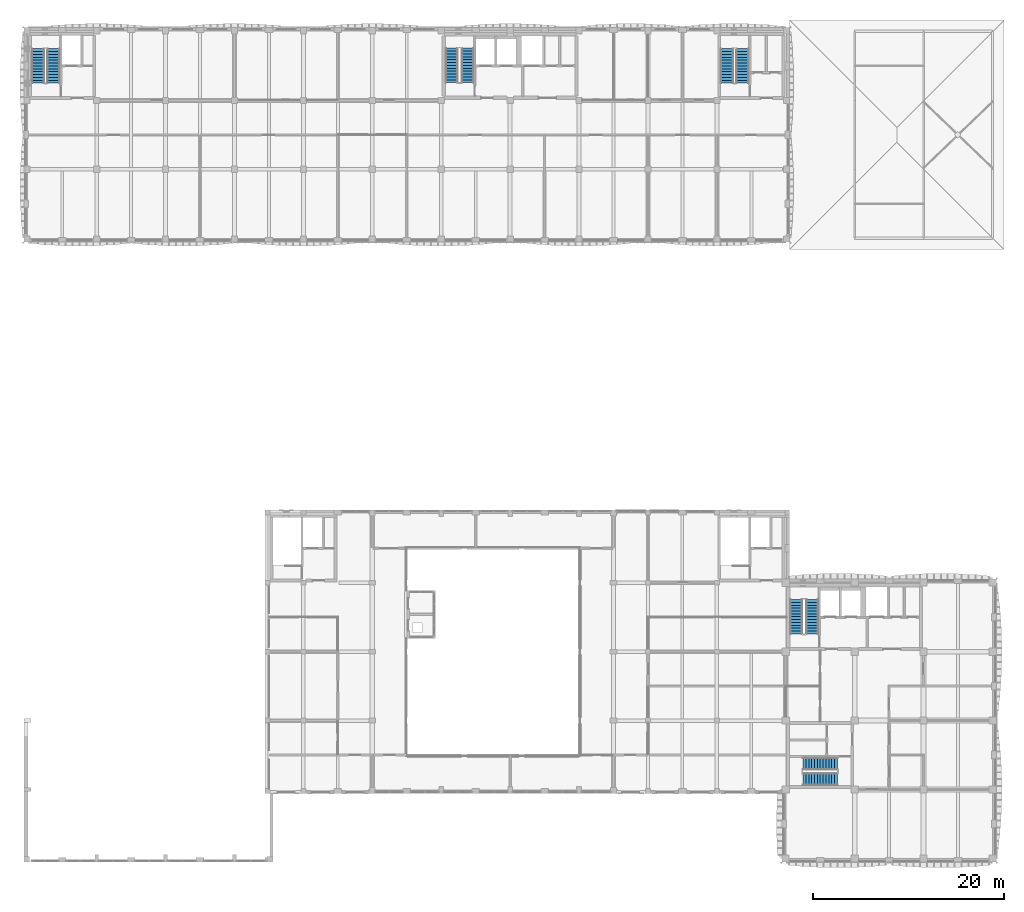
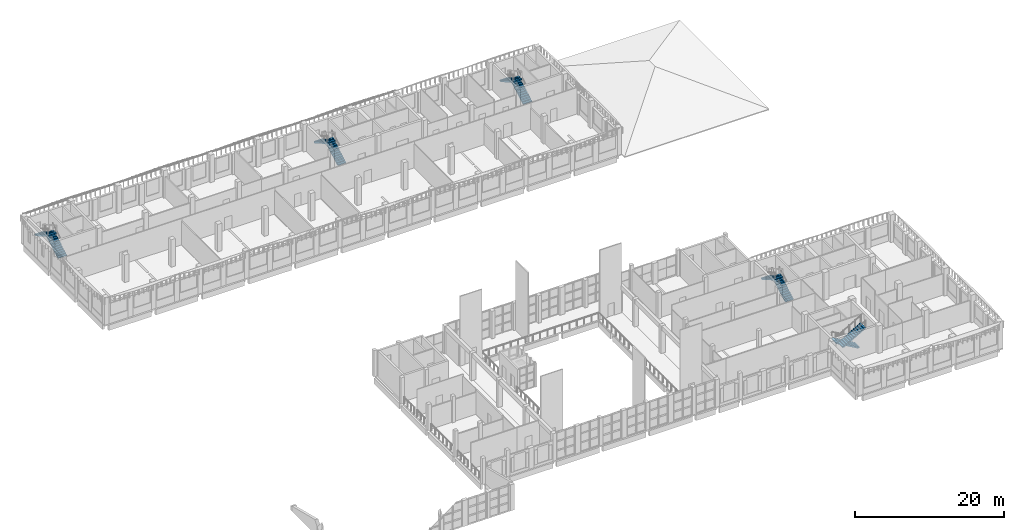
# One storey, part 29 of 54: 10 stair flights, 5 elements without a shape of their own.
"""IFC4 building model written with IfcOpenShell, lengths in metres."""

from ifc_helpers import new_model, si_unit, direction, frame, origin, place, context, subcontext, project, spatial, polyline, outline, extrude, material, type_object, element, aggregate, save


model = new_model("IFC4")

# Units and contexts
model_context = context("Model", 3, precision=1e-05, world=origin(), true_north=direction((0.0, 1.0)))
body_context = subcontext(model_context, "Body", "Model", "MODEL_VIEW")
ifc_project = project(units=[si_unit("LENGTHUNIT", "METRE"), si_unit("AREAUNIT", "SQUARE_METRE"), si_unit("VOLUMEUNIT", "CUBIC_METRE"), si_unit("PLANEANGLEUNIT", "RADIAN"), si_unit("MASSUNIT", "GRAM", prefix="KILO")], contexts=[model_context])

# Site, building, storey
site_placement = place(None, origin())
site = spatial("IfcSite", under=ifc_project, at=site_placement, CompositionType="ELEMENT")
building_placement = place(site_placement, origin())
building = spatial("IfcBuilding", under=site, at=building_placement, Name="Ussher Court Research Institute", CompositionType="ELEMENT")
storey_placement = place(building_placement, frame((0.0, 0.0, 14.39990234375)))
storey = spatial("IfcBuildingStorey", under=building, at=storey_placement, Name="L03", CompositionType="ELEMENT", Elevation=14.39990234375)

# Stair, stair flights
ifc_material_1 = material(Name="Concrete C35/45", Category="concrete")
stair_type_1 = type_object("IfcStairType", Name="Core stair 26 risers 173 mm x 300 going 1280 wide", PredefinedType="HALF_TURN_STAIR", material=ifc_material_1)
stair_1_placement = place(storey_placement, origin())
stair_1 = element("IfcStair", 1, at=stair_1_placement, inside=storey, type_object=stair_type_1, Name="L03 Stair D2", PredefinedType="HALF_TURN_STAIR")
ifc_material_2 = material(Name="Concrete C35/45", Category="concrete")
stair_flight_type_1 = type_object("IfcStairFlightType", Name="Stair flight 13 risers 1280 RC", PredefinedType="STRAIGHT", material=ifc_material_2)
stair_flight_1_placement = place(storey_placement, frame((48.9599609375, 85.050048828125, 0.0), z_axis=(0.0, 0.0, 1.0), x_axis=(0.0, 1.0, 0.0)))
stair_flight_1 = element("IfcStairFlight", 2, at=stair_flight_1_placement, type_object=stair_flight_type_1, Name="D2 flight 1", NumberOfRisers=13, NumberOfTreads=12, PredefinedType="STRAIGHT", RiserHeight=0.173076923, TreadLength=0.3, context=body_context, shape_type="SweptSolid", body=[
    extrude(outline(polyline([(0.0, 0.0), (0.0, 0.173095703125), (0.300048828125, 0.173095703125), (0.300048828125, 0.34619140625), (0.60009765625, 0.34619140625), (0.60009765625, 0.519287109375), (0.89990234375, 0.519287109375), (0.89990234375, 0.6923828125), (1.199951171875, 0.6923828125), (1.199951171875, 0.865478515625), (1.5, 0.865478515625), (1.5, 1.03857421875), (1.800048828125, 1.03857421875), (1.800048828125, 1.21142578125), (2.10009765625, 1.21142578125), (2.10009765625, 1.384521484375), (2.39990234375, 1.384521484375), (2.39990234375, 1.5576171875), (2.699951171875, 1.5576171875), (2.699951171875, 1.730712890625), (3.0, 1.730712890625), (3.0, 1.90380859375), (3.300048828125, 1.90380859375), (3.300048828125, 2.076904296875), (3.60009765625, 2.076904296875), (3.60009765625, 2.25), (3.60009765625, 1.90380859375), (0.300048828125, 0.0), (0.0, 0.0)])), frame((0.0, 0.64013671875, 0.0), z_axis=(0.0, -1.0, 0.0), x_axis=(1.0, 0.0, 0.0)), (0.0, 0.0, 1.0), 1.280029296875),
])
stair_flight_2_placement = place(storey_placement, frame((47.2900390625, 88.64990234375, 2.25), z_axis=(0.0, 0.0, 1.0), x_axis=(0.0, -1.0, 0.0)))
stair_flight_2 = element("IfcStairFlight", 3, at=stair_flight_2_placement, type_object=stair_flight_type_1, Name="D2 flight 2", NumberOfRisers=13, NumberOfTreads=12, PredefinedType="STRAIGHT", RiserHeight=0.173076923, TreadLength=0.3, context=body_context, shape_type="SweptSolid", body=[
    extrude(outline(polyline([(0.0, 0.0), (0.0, 0.173095703125), (0.300048828125, 0.173095703125), (0.300048828125, 0.34619140625), (0.60009765625, 0.34619140625), (0.60009765625, 0.519287109375), (0.89990234375, 0.519287109375), (0.89990234375, 0.6923828125), (1.199951171875, 0.6923828125), (1.199951171875, 0.865478515625), (1.5, 0.865478515625), (1.5, 1.03857421875), (1.800048828125, 1.03857421875), (1.800048828125, 1.21142578125), (2.10009765625, 1.21142578125), (2.10009765625, 1.384521484375), (2.39990234375, 1.384521484375), (2.39990234375, 1.5576171875), (2.699951171875, 1.5576171875), (2.699951171875, 1.730712890625), (3.0, 1.730712890625), (3.0, 1.90380859375), (3.300048828125, 1.90380859375), (3.300048828125, 2.076904296875), (3.60009765625, 2.076904296875), (3.60009765625, 2.25), (3.60009765625, 1.90380859375), (0.300048828125, 0.0), (0.0, 0.0)])), frame((0.0, 0.64013671875, 0.0), z_axis=(0.0, -1.0, 0.0), x_axis=(1.0, 0.0, 0.0)), (0.0, 0.0, 1.0), 1.280029296875),
])
aggregate(stair_1, [stair_flight_1, stair_flight_2])

stair_2_placement = place(storey_placement, origin())
stair_2 = element("IfcStair", 4, at=stair_2_placement, inside=storey, type_object=stair_type_1, Name="L03 Stair T1", PredefinedType="HALF_TURN_STAIR")
stair_flight_3_placement = place(storey_placement, frame((84.9599609375, 27.449951171875, 0.0), z_axis=(0.0, 0.0, 1.0), x_axis=(0.0, 1.0, 0.0)))
stair_flight_3 = element("IfcStairFlight", 5, at=stair_flight_3_placement, type_object=stair_flight_type_1, Name="T1 flight 1", NumberOfRisers=13, NumberOfTreads=12, PredefinedType="STRAIGHT", RiserHeight=0.173076923, TreadLength=0.3, context=body_context, shape_type="SweptSolid", body=[
    extrude(outline(polyline([(0.0, 0.0), (0.0, 0.173095703125), (0.300048828125, 0.173095703125), (0.300048828125, 0.34619140625), (0.60009765625, 0.34619140625), (0.60009765625, 0.519287109375), (0.89990234375, 0.519287109375), (0.89990234375, 0.6923828125), (1.199951171875, 0.6923828125), (1.199951171875, 0.865478515625), (1.5, 0.865478515625), (1.5, 1.03857421875), (1.800048828125, 1.03857421875), (1.800048828125, 1.21142578125), (2.10009765625, 1.21142578125), (2.10009765625, 1.384521484375), (2.39990234375, 1.384521484375), (2.39990234375, 1.5576171875), (2.699951171875, 1.5576171875), (2.699951171875, 1.730712890625), (3.0, 1.730712890625), (3.0, 1.90380859375), (3.300048828125, 1.90380859375), (3.300048828125, 2.076904296875), (3.60009765625, 2.076904296875), (3.60009765625, 2.25), (3.60009765625, 1.90380859375), (0.300048828125, 0.0), (0.0, 0.0)])), frame((0.0, 0.64013671875, 0.0), z_axis=(0.0, -1.0, 0.0), x_axis=(1.0, 0.0, 0.0)), (0.0, 0.0, 1.0), 1.280029296875),
])
stair_flight_4_placement = place(storey_placement, frame((83.2900390625, 31.050048828125, 2.25), z_axis=(0.0, 0.0, 1.0), x_axis=(0.0, -1.0, 0.0)))
stair_flight_4 = element("IfcStairFlight", 6, at=stair_flight_4_placement, type_object=stair_flight_type_1, Name="T1 flight 2", NumberOfRisers=13, NumberOfTreads=12, PredefinedType="STRAIGHT", RiserHeight=0.173076923, TreadLength=0.3, context=body_context, shape_type="SweptSolid", body=[
    extrude(outline(polyline([(0.0, 0.0), (0.0, 0.173095703125), (0.300048828125, 0.173095703125), (0.300048828125, 0.34619140625), (0.60009765625, 0.34619140625), (0.60009765625, 0.519287109375), (0.89990234375, 0.519287109375), (0.89990234375, 0.6923828125), (1.199951171875, 0.6923828125), (1.199951171875, 0.865478515625), (1.5, 0.865478515625), (1.5, 1.03857421875), (1.800048828125, 1.03857421875), (1.800048828125, 1.21142578125), (2.10009765625, 1.21142578125), (2.10009765625, 1.384521484375), (2.39990234375, 1.384521484375), (2.39990234375, 1.5576171875), (2.699951171875, 1.5576171875), (2.699951171875, 1.730712890625), (3.0, 1.730712890625), (3.0, 1.90380859375), (3.300048828125, 1.90380859375), (3.300048828125, 2.076904296875), (3.60009765625, 2.076904296875), (3.60009765625, 2.25), (3.60009765625, 1.90380859375), (0.300048828125, 0.0), (0.0, 0.0)])), frame((0.0, 0.64013671875, 0.0), z_axis=(0.0, -1.0, 0.0), x_axis=(1.0, 0.0, 0.0)), (0.0, 0.0, 1.0), 1.280029296875),
])
aggregate(stair_2, [stair_flight_3, stair_flight_4])

ifc_material_3 = material(Name="Concrete C35/45", Category="concrete")
stair_type_2 = type_object("IfcStairType", Name="Core stair 26 risers 173 mm x 300 going 1300 wide", PredefinedType="HALF_TURN_STAIR", material=ifc_material_3)
stair_3_placement = place(storey_placement, origin())
stair_3 = element("IfcStair", 7, at=stair_3_placement, inside=storey, type_object=stair_type_2, Name="L03 Stair T2", PredefinedType="HALF_TURN_STAIR")
ifc_material_4 = material(Name="Concrete C35/45", Category="concrete")
stair_flight_type_2 = type_object("IfcStairFlightType", Name="Stair flight 13 risers 1300 RC", PredefinedType="STRAIGHT", material=ifc_material_4)
stair_flight_5_placement = place(storey_placement, frame((87.60009765625, 13.89990234375, 0.0), z_axis=(0.0, 0.0, 1.0), x_axis=(-1.0, 0.0, 0.0)))
stair_flight_5 = element("IfcStairFlight", 8, at=stair_flight_5_placement, type_object=stair_flight_type_2, Name="T2 flight 1", NumberOfRisers=13, NumberOfTreads=12, PredefinedType="STRAIGHT", RiserHeight=0.173076923, TreadLength=0.3, context=body_context, shape_type="SweptSolid", body=[
    extrude(outline(polyline([(0.0, 0.0), (0.0, 0.173095703125), (0.300048828125, 0.173095703125), (0.300048828125, 0.34619140625), (0.60009765625, 0.34619140625), (0.60009765625, 0.519287109375), (0.89990234375, 0.519287109375), (0.89990234375, 0.6923828125), (1.199951171875, 0.6923828125), (1.199951171875, 0.865478515625), (1.5, 0.865478515625), (1.5, 1.03857421875), (1.800048828125, 1.03857421875), (1.800048828125, 1.21142578125), (2.10009765625, 1.21142578125), (2.10009765625, 1.384521484375), (2.39990234375, 1.384521484375), (2.39990234375, 1.5576171875), (2.699951171875, 1.5576171875), (2.699951171875, 1.730712890625), (3.0, 1.730712890625), (3.0, 1.90380859375), (3.300048828125, 1.90380859375), (3.300048828125, 2.076904296875), (3.60009765625, 2.076904296875), (3.60009765625, 2.25), (3.60009765625, 1.90380859375), (0.300048828125, 0.0), (0.0, 0.0)])), frame((0.0, 0.64990234375, 0.0), z_axis=(0.0, -1.0, 0.0), x_axis=(1.0, 0.0, 0.0)), (0.0, 0.0, 1.0), 1.300048828125),
])
stair_flight_6_placement = place(storey_placement, frame((84.0, 12.25, 2.25), z_axis=(0.0, 0.0, 1.0), x_axis=(1.0, 0.0, 0.0)))
stair_flight_6 = element("IfcStairFlight", 9, at=stair_flight_6_placement, type_object=stair_flight_type_2, Name="T2 flight 2", NumberOfRisers=13, NumberOfTreads=12, PredefinedType="STRAIGHT", RiserHeight=0.173076923, TreadLength=0.3, context=body_context, shape_type="SweptSolid", body=[
    extrude(outline(polyline([(0.0, 0.0), (0.0, 0.173095703125), (0.300048828125, 0.173095703125), (0.300048828125, 0.34619140625), (0.60009765625, 0.34619140625), (0.60009765625, 0.519287109375), (0.89990234375, 0.519287109375), (0.89990234375, 0.6923828125), (1.199951171875, 0.6923828125), (1.199951171875, 0.865478515625), (1.5, 0.865478515625), (1.5, 1.03857421875), (1.800048828125, 1.03857421875), (1.800048828125, 1.21142578125), (2.10009765625, 1.21142578125), (2.10009765625, 1.384521484375), (2.39990234375, 1.384521484375), (2.39990234375, 1.5576171875), (2.699951171875, 1.5576171875), (2.699951171875, 1.730712890625), (3.0, 1.730712890625), (3.0, 1.90380859375), (3.300048828125, 1.90380859375), (3.300048828125, 2.076904296875), (3.60009765625, 2.076904296875), (3.60009765625, 2.25), (3.60009765625, 1.90380859375), (0.300048828125, 0.0), (0.0, 0.0)])), frame((0.0, 0.64990234375, 0.0), z_axis=(0.0, -1.0, 0.0), x_axis=(1.0, 0.0, 0.0)), (0.0, 0.0, 1.0), 1.300048828125),
])
aggregate(stair_3, [stair_flight_5, stair_flight_6])

ifc_material_5 = material(Name="Concrete C35/45", Category="concrete")
stair_type_3 = type_object("IfcStairType", Name="Core stair 26 risers 173 mm x 300 going 1350 wide", PredefinedType="HALF_TURN_STAIR", material=ifc_material_5)
stair_4_placement = place(storey_placement, origin())
stair_4 = element("IfcStair", 10, at=stair_4_placement, inside=storey, type_object=stair_type_3, Name="L03 Stair D1", PredefinedType="HALF_TURN_STAIR")
ifc_material_6 = material(Name="Concrete C35/45", Category="concrete")
stair_flight_type_3 = type_object("IfcStairFlightType", Name="Stair flight 13 risers 1350 RC", PredefinedType="STRAIGHT", material=ifc_material_6)
stair_flight_7_placement = place(storey_placement, frame((5.675048828125, 85.0, 0.0), z_axis=(0.0, 0.0, 1.0), x_axis=(0.0, 1.0, 0.0)))
stair_flight_7 = element("IfcStairFlight", 11, at=stair_flight_7_placement, type_object=stair_flight_type_3, Name="D1 flight 1", NumberOfRisers=13, NumberOfTreads=12, PredefinedType="STRAIGHT", RiserHeight=0.173076923, TreadLength=0.3, context=body_context, shape_type="SweptSolid", body=[
    extrude(outline(polyline([(0.0, 0.0), (0.0, 0.173095703125), (0.300048828125, 0.173095703125), (0.300048828125, 0.34619140625), (0.60009765625, 0.34619140625), (0.60009765625, 0.519287109375), (0.89990234375, 0.519287109375), (0.89990234375, 0.6923828125), (1.199951171875, 0.6923828125), (1.199951171875, 0.865478515625), (1.5, 0.865478515625), (1.5, 1.03857421875), (1.800048828125, 1.03857421875), (1.800048828125, 1.21142578125), (2.10009765625, 1.21142578125), (2.10009765625, 1.384521484375), (2.39990234375, 1.384521484375), (2.39990234375, 1.5576171875), (2.699951171875, 1.5576171875), (2.699951171875, 1.730712890625), (3.0, 1.730712890625), (3.0, 1.90380859375), (3.300048828125, 1.90380859375), (3.300048828125, 2.076904296875), (3.60009765625, 2.076904296875), (3.60009765625, 2.25), (3.60009765625, 1.90380859375), (0.300048828125, 0.0), (0.0, 0.0)])), frame((0.0, 0.675048828125, 0.0), z_axis=(0.0, -1.0, 0.0), x_axis=(1.0, 0.0, 0.0)), (0.0, 0.0, 1.0), 1.35009765625),
])
stair_flight_8_placement = place(storey_placement, frame((4.074951171875, 88.60009765625, 2.25), z_axis=(0.0, 0.0, 1.0), x_axis=(0.0, -1.0, 0.0)))
stair_flight_8 = element("IfcStairFlight", 12, at=stair_flight_8_placement, type_object=stair_flight_type_3, Name="D1 flight 2", NumberOfRisers=13, NumberOfTreads=12, PredefinedType="STRAIGHT", RiserHeight=0.173076923, TreadLength=0.3, context=body_context, shape_type="SweptSolid", body=[
    extrude(outline(polyline([(0.0, 0.0), (0.0, 0.173095703125), (0.300048828125, 0.173095703125), (0.300048828125, 0.34619140625), (0.60009765625, 0.34619140625), (0.60009765625, 0.519287109375), (0.89990234375, 0.519287109375), (0.89990234375, 0.6923828125), (1.199951171875, 0.6923828125), (1.199951171875, 0.865478515625), (1.5, 0.865478515625), (1.5, 1.03857421875), (1.800048828125, 1.03857421875), (1.800048828125, 1.21142578125), (2.10009765625, 1.21142578125), (2.10009765625, 1.384521484375), (2.39990234375, 1.384521484375), (2.39990234375, 1.5576171875), (2.699951171875, 1.5576171875), (2.699951171875, 1.730712890625), (3.0, 1.730712890625), (3.0, 1.90380859375), (3.300048828125, 1.90380859375), (3.300048828125, 2.076904296875), (3.60009765625, 2.076904296875), (3.60009765625, 2.25), (3.60009765625, 1.90380859375), (0.300048828125, 0.0), (0.0, 0.0)])), frame((0.0, 0.675048828125, 0.0), z_axis=(0.0, -1.0, 0.0), x_axis=(1.0, 0.0, 0.0)), (0.0, 0.0, 1.0), 1.35009765625),
])
aggregate(stair_4, [stair_flight_7, stair_flight_8])

stair_5_placement = place(storey_placement, origin())
stair_5 = element("IfcStair", 13, at=stair_5_placement, inside=storey, type_object=stair_type_3, Name="L03 Stair D3", PredefinedType="HALF_TURN_STAIR")
stair_flight_9_placement = place(storey_placement, frame((77.675048828125, 85.0, 0.0), z_axis=(0.0, 0.0, 1.0), x_axis=(0.0, 1.0, 0.0)))
stair_flight_9 = element("IfcStairFlight", 14, at=stair_flight_9_placement, type_object=stair_flight_type_3, Name="D3 flight 1", NumberOfRisers=13, NumberOfTreads=12, PredefinedType="STRAIGHT", RiserHeight=0.173076923, TreadLength=0.3, context=body_context, shape_type="SweptSolid", body=[
    extrude(outline(polyline([(0.0, 0.0), (0.0, 0.173095703125), (0.300048828125, 0.173095703125), (0.300048828125, 0.34619140625), (0.60009765625, 0.34619140625), (0.60009765625, 0.519287109375), (0.89990234375, 0.519287109375), (0.89990234375, 0.6923828125), (1.199951171875, 0.6923828125), (1.199951171875, 0.865478515625), (1.5, 0.865478515625), (1.5, 1.03857421875), (1.800048828125, 1.03857421875), (1.800048828125, 1.21142578125), (2.10009765625, 1.21142578125), (2.10009765625, 1.384521484375), (2.39990234375, 1.384521484375), (2.39990234375, 1.5576171875), (2.699951171875, 1.5576171875), (2.699951171875, 1.730712890625), (3.0, 1.730712890625), (3.0, 1.90380859375), (3.300048828125, 1.90380859375), (3.300048828125, 2.076904296875), (3.60009765625, 2.076904296875), (3.60009765625, 2.25), (3.60009765625, 1.90380859375), (0.300048828125, 0.0), (0.0, 0.0)])), frame((0.0, 0.675048828125, 0.0), z_axis=(0.0, -1.0, 0.0), x_axis=(1.0, 0.0, 0.0)), (0.0, 0.0, 1.0), 1.35009765625),
])
stair_flight_10_placement = place(storey_placement, frame((76.074951171875, 88.60009765625, 2.25), z_axis=(0.0, 0.0, 1.0), x_axis=(0.0, -1.0, 0.0)))
stair_flight_10 = element("IfcStairFlight", 15, at=stair_flight_10_placement, type_object=stair_flight_type_3, Name="D3 flight 2", NumberOfRisers=13, NumberOfTreads=12, PredefinedType="STRAIGHT", RiserHeight=0.173076923, TreadLength=0.3, context=body_context, shape_type="SweptSolid", body=[
    extrude(outline(polyline([(0.0, 0.0), (0.0, 0.173095703125), (0.300048828125, 0.173095703125), (0.300048828125, 0.34619140625), (0.60009765625, 0.34619140625), (0.60009765625, 0.519287109375), (0.89990234375, 0.519287109375), (0.89990234375, 0.6923828125), (1.199951171875, 0.6923828125), (1.199951171875, 0.865478515625), (1.5, 0.865478515625), (1.5, 1.03857421875), (1.800048828125, 1.03857421875), (1.800048828125, 1.21142578125), (2.10009765625, 1.21142578125), (2.10009765625, 1.384521484375), (2.39990234375, 1.384521484375), (2.39990234375, 1.5576171875), (2.699951171875, 1.5576171875), (2.699951171875, 1.730712890625), (3.0, 1.730712890625), (3.0, 1.90380859375), (3.300048828125, 1.90380859375), (3.300048828125, 2.076904296875), (3.60009765625, 2.076904296875), (3.60009765625, 2.25), (3.60009765625, 1.90380859375), (0.300048828125, 0.0), (0.0, 0.0)])), frame((0.0, 0.675048828125, 0.0), z_axis=(0.0, -1.0, 0.0), x_axis=(1.0, 0.0, 0.0)), (0.0, 0.0, 1.0), 1.35009765625),
])
aggregate(stair_5, [stair_flight_9, stair_flight_10])

save(model, "model.ifc")
